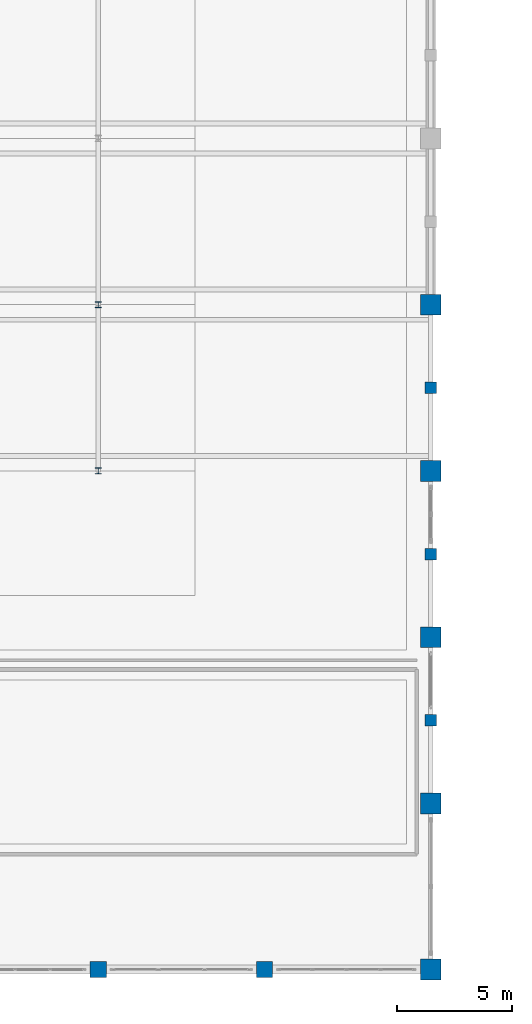
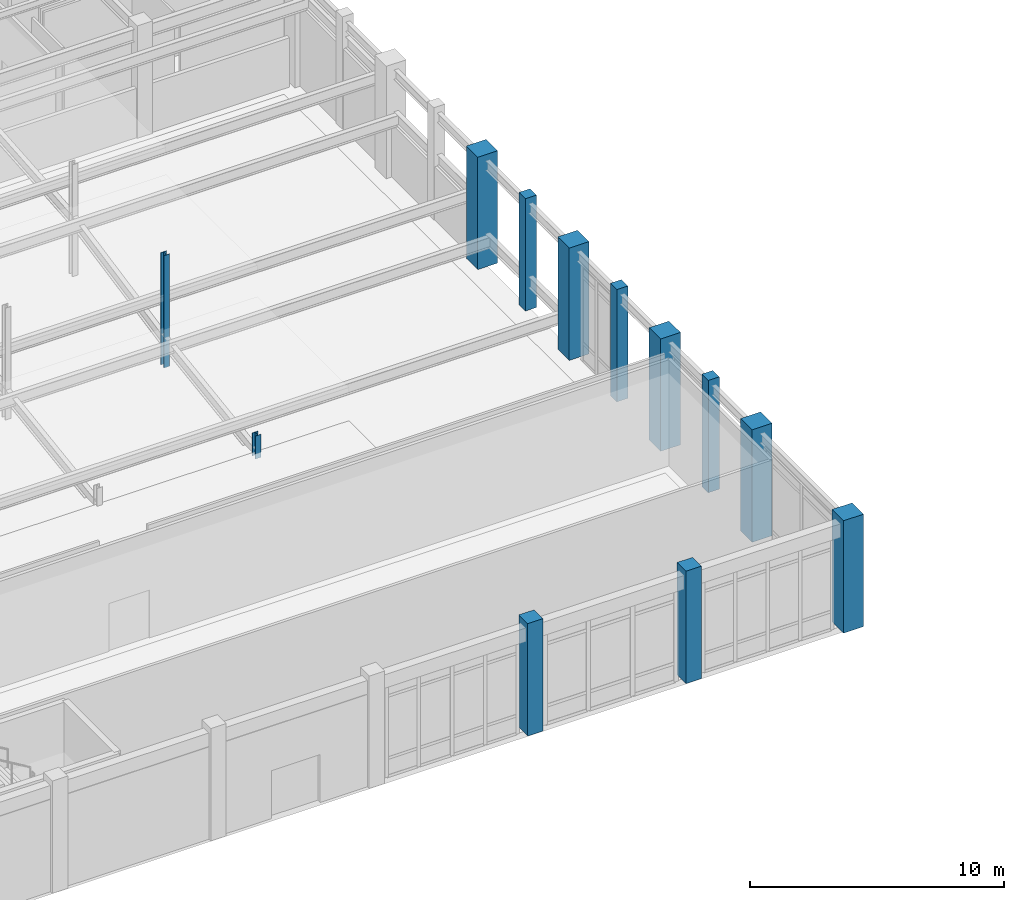
# One storey, part 3 of 102: 12 columns.
"""IFC4 building model written with IfcOpenShell, lengths in metres."""

from ifc_helpers import new_model, si_unit, direction, frame, origin, origin_2d, place, context, subcontext, project, spatial, rectangle, i_section, extrude, material, material_profile, profile_set, type_object, element, save


model = new_model("IFC4")

# Units and contexts
model_context = context("Model", 3, precision=1e-05, world=origin(), true_north=direction((0.0, 1.0)))
body_context = subcontext(model_context, "Body", "Model", "MODEL_VIEW")
ifc_project = project(units=[si_unit("LENGTHUNIT", "METRE"), si_unit("AREAUNIT", "SQUARE_METRE"), si_unit("VOLUMEUNIT", "CUBIC_METRE"), si_unit("PLANEANGLEUNIT", "RADIAN"), si_unit("MASSUNIT", "GRAM", prefix="KILO")], contexts=[model_context])

# Site, building, storey
site_placement = place(None, origin())
site = spatial("IfcSite", under=ifc_project, at=site_placement, CompositionType="ELEMENT")
building_placement = place(site_placement, origin())
building = spatial("IfcBuilding", under=site, at=building_placement, Name="Carrowvane Square Congress Hotel", CompositionType="ELEMENT")
storey_placement = place(building_placement, origin())
storey = spatial("IfcBuildingStorey", under=building, at=storey_placement, Name="L00", CompositionType="ELEMENT", Elevation=0.0)

# Columns
ifc_material_1 = material(Name="Concrete C40/50", Category="concrete")
ifc_material_profile_1 = material_profile(ifc_material_1, rectangle(XDim=0.699951171875, YDim=0.699951171875, at=origin_2d()), Name="RC 700x700")
ifc_profile_set_1 = profile_set([ifc_material_profile_1], Name="Concrete C40/50")
column_type_1 = type_object("IfcColumnType", Name="COL-RC-700", PredefinedType="COLUMN", material=ifc_profile_set_1)
for number, where, z_axis, x_axis, name in (
    (1, (47.60009765625, 5.39990234375, 0.0), (0.0, 0.0, 1.0), (1.0, 0.0, 0.0), "L00 column 6/A"),
    (2, (54.800048828125, 5.39990234375, 0.0), (0.0, 0.0, 1.0), (1.0, 0.0, 0.0), "L00 column 7/A"),
):
    element("IfcColumn", number, at=place(storey_placement, frame(where, z_axis=z_axis, x_axis=x_axis)), inside=storey, type_object=column_type_1, Name=name, PredefinedType="COLUMN", context=body_context, shape_type="SweptSolid", body=[
        extrude(rectangle(XDim=0.699951171875, YDim=0.699951171875, at=origin_2d()), origin(), (0.0, 0.0, 1.0), 5.39990234375),
    ])
ifc_material_2 = material(Name="Steel S355", Category="steel")
ifc_material_profile_2 = material_profile(ifc_material_2, i_section(OverallWidth=0.25634765625, OverallDepth=0.26025390625, WebThickness=0.01025390625, FlangeThickness=0.017333984375, FilletRadius=0.0126953125, at=origin_2d()), Name="UKC 254x254x89")
ifc_profile_set_2 = profile_set([ifc_material_profile_2], Name="Steel S355")
column_type_2 = type_object("IfcColumnType", Name="COL-ST-UKC254", PredefinedType="COLUMN", material=ifc_profile_set_2)
column_1_placement = place(storey_placement, frame((47.60009765625, 27.0, 0.0), z_axis=(0.0, 0.0, 1.0), x_axis=(1.0, 0.0, 0.0)))
element("IfcColumn", 3, at=column_1_placement, inside=storey, type_object=column_type_2, Name="L00 column RK47/RY27", PredefinedType="COLUMN", context=body_context, shape_type="SweptSolid", body=[
    extrude(i_section(OverallWidth=0.25634765625, OverallDepth=0.26025390625, WebThickness=0.01025390625, FlangeThickness=0.017333984375, FilletRadius=0.0126953125, at=origin_2d()), origin(), (0.0, 0.0, 1.0), 1.10009765625),
])
column_2_placement = place(storey_placement, frame((47.60009765625, 34.199951171875, 0.0), z_axis=(0.0, 0.0, 1.0), x_axis=(1.0, 0.0, 0.0)))
element("IfcColumn", 4, at=column_2_placement, inside=storey, type_object=column_type_2, Name="L00 column RK47/RY34", PredefinedType="COLUMN", context=body_context, shape_type="SweptSolid", body=[
    extrude(i_section(OverallWidth=0.25634765625, OverallDepth=0.26025390625, WebThickness=0.01025390625, FlangeThickness=0.017333984375, FilletRadius=0.0126953125, at=origin_2d()), origin(), (0.0, 0.0, 1.0), 5.39990234375),
])
ifc_material_3 = material(Name="Concrete C40/50", Category="concrete")
ifc_material_profile_3 = material_profile(ifc_material_3, rectangle(XDim=0.89990234375, YDim=0.89990234375, at=origin_2d()), Name="RC 900x900")
ifc_profile_set_3 = profile_set([ifc_material_profile_3], Name="Concrete C40/50")
column_type_3 = type_object("IfcColumnType", Name="MCOL-RC-900", PredefinedType="COLUMN", material=ifc_profile_set_3)
for number, where, z_axis, x_axis, name in (
    (5, (62.0, 5.39990234375, 0.0), (0.0, 0.0, 1.0), (1.0, 0.0, 0.0), "L00 column 8/A"),
    (6, (62.0, 12.60009765625, 0.0), (0.0, 0.0, 1.0), (1.0, 0.0, 0.0), "L00 column 8/B"),
    (7, (62.0, 19.800048828125, 0.0), (0.0, 0.0, 1.0), (1.0, 0.0, 0.0), "L00 column 8/C"),
    (8, (62.0, 27.0, 0.0), (0.0, 0.0, 1.0), (1.0, 0.0, 0.0), "L00 column 8/D"),
    (9, (62.0, 34.199951171875, 0.0), (0.0, 0.0, 1.0), (1.0, 0.0, 0.0), "L00 column 8/E"),
):
    element("IfcColumn", number, at=place(storey_placement, frame(where, z_axis=z_axis, x_axis=x_axis)), inside=storey, type_object=column_type_3, Name=name, PredefinedType="COLUMN", context=body_context, shape_type="SweptSolid", body=[
        extrude(rectangle(XDim=0.89990234375, YDim=0.89990234375, at=origin_2d()), origin(), (0.0, 0.0, 1.0), 5.39990234375),
    ])
ifc_material_4 = material(Name="Precast concrete C40/50", Category="concrete")
ifc_material_profile_4 = material_profile(ifc_material_4, rectangle(XDim=0.5, YDim=0.5, at=origin_2d()), Name="RC 500x500")
ifc_profile_set_4 = profile_set([ifc_material_profile_4], Name="Precast concrete C40/50")
column_type_4 = type_object("IfcColumnType", Name="PIL-PC-500", PredefinedType="PILASTER", material=ifc_profile_set_4)
for number, where, z_axis, x_axis, name in (
    (10, (62.0, 16.199951171875, 0.0), (0.0, 0.0, 1.0), (1.0, 0.0, 0.0), "L00 colonnade limestone pilaster 1"),
    (11, (62.0, 23.39990234375, 0.0), (0.0, 0.0, 1.0), (1.0, 0.0, 0.0), "L00 colonnade limestone pilaster 2"),
    (12, (62.0, 30.60009765625, 0.0), (0.0, 0.0, 1.0), (1.0, 0.0, 0.0), "L00 colonnade limestone pilaster 3"),
):
    element("IfcColumn", number, at=place(storey_placement, frame(where, z_axis=z_axis, x_axis=x_axis)), inside=storey, type_object=column_type_4, Name=name, PredefinedType="PILASTER", context=body_context, shape_type="SweptSolid", body=[
        extrude(rectangle(XDim=0.5, YDim=0.5, at=origin_2d()), origin(), (0.0, 0.0, 1.0), 5.39990234375),
    ])

save(model, "model.ifc")
